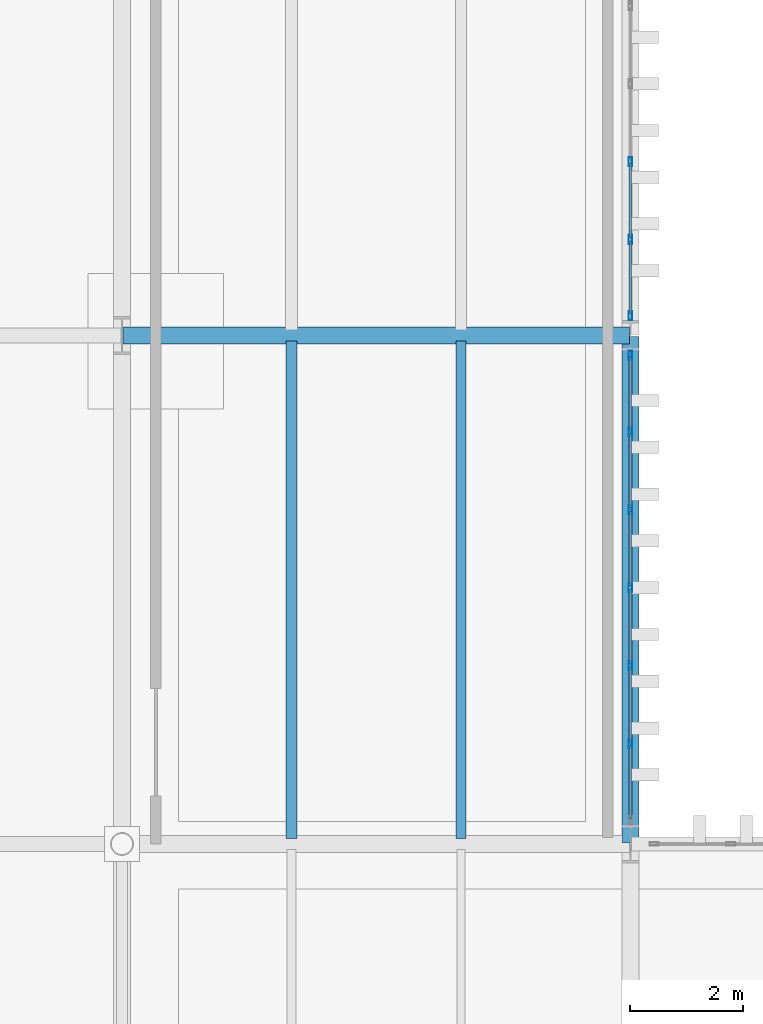
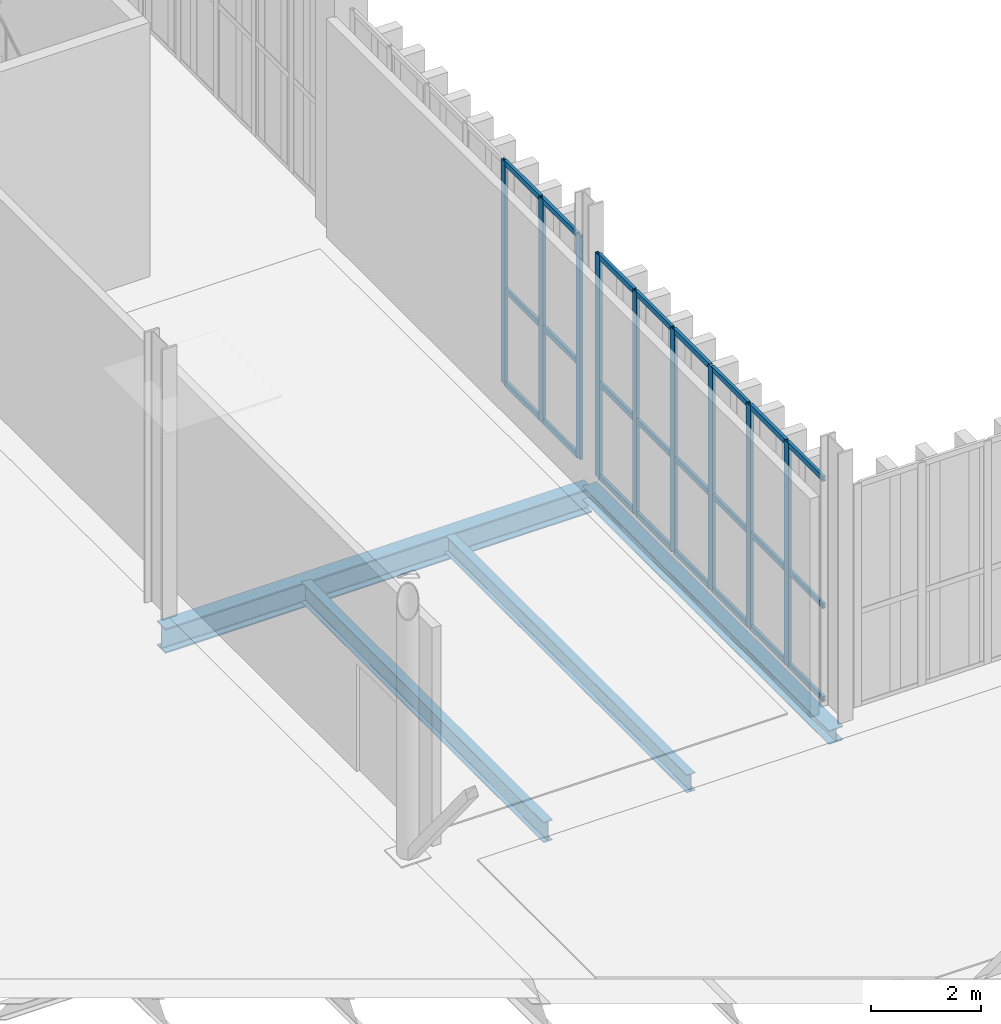
# One storey, part 108 of 211: 33 members, 4 beams, 2 elements without a shape of their own.
"""IFC4 building model written with IfcOpenShell, lengths in metres."""

from ifc_helpers import new_model, si_unit, direction, frame, origin, origin_2d, place, context, subcontext, project, spatial, hollow_rectangle, i_section, extrude, material, layer, layer_set, material_profile, profile_set, type_object, element, aggregate, save


model = new_model("IFC4")

# Units and contexts
model_context = context("Model", 3, precision=1e-05, world=origin(), true_north=direction((0.0, 1.0)))
body_context = subcontext(model_context, "Body", "Model", "MODEL_VIEW")
ifc_project = project(units=[si_unit("LENGTHUNIT", "METRE"), si_unit("AREAUNIT", "SQUARE_METRE"), si_unit("VOLUMEUNIT", "CUBIC_METRE"), si_unit("PLANEANGLEUNIT", "RADIAN"), si_unit("MASSUNIT", "GRAM", prefix="KILO")], contexts=[model_context])

# Site, building, storey
site_placement = place(None, origin())
site = spatial("IfcSite", under=ifc_project, at=site_placement, CompositionType="ELEMENT")
building_placement = place(site_placement, origin())
building = spatial("IfcBuilding", under=site, at=building_placement, Name="Barlavento Convention Centre", CompositionType="ELEMENT")
storey_placement = place(building_placement, frame((0.0, 0.0, 6.0)))
storey = spatial("IfcBuildingStorey", under=building, at=storey_placement, Name="L01", CompositionType="ELEMENT", Elevation=6.0)

# Curtain wall, members
ifc_material_1 = material(Name="Powder-coated aluminium and Low-E glass", Category="aluminium")
ifc_layer = layer(ifc_material_1, 0.195068359375)
ifc_layer_set = layer_set([ifc_layer], Name="ARC-CW-PATIO-A")
curtain_wall_type = type_object("IfcCurtainWallType", Name="ARC-CW-PATIO-A", PredefinedType="NOTDEFINED", material=ifc_layer_set)
curtain_wall_1_placement = place(storey_placement, origin())
curtain_wall_1 = element("IfcCurtainWall", 1, at=curtain_wall_1_placement, inside=storey, type_object=curtain_wall_type, Name="L01 unitised curtain wall CW11", PredefinedType="NOTDEFINED")
ifc_material_2 = material(Name="Powder-coated aluminium", Category="aluminium")
ifc_material_profile_1 = material_profile(ifc_material_2, hollow_rectangle(XDim=0.06005859375, YDim=0.159912109375, WallThickness=0.00390625, at=origin_2d()), Name="AL-MULL 60x160x4")
ifc_profile_set_1 = profile_set([ifc_material_profile_1], Name="Powder-coated aluminium")
member_type_1 = type_object("IfcMemberType", Name="ARC-CWM-60X160", PredefinedType="MULLION", material=ifc_profile_set_1)
member_1_placement = place(storey_placement, frame((135.0, 64.774658203125, 0.0), z_axis=(0.0, 0.0, 1.0), x_axis=(-1.0, 0.0, 0.0)))
member_1 = element("IfcMember", 2, at=member_1_placement, type_object=member_type_1, Name="CW11 mullion 2", PredefinedType="MULLION", context=body_context, shape_type="SweptSolid", body=[
    extrude(hollow_rectangle(XDim=0.06005859375, YDim=0.159912109375, WallThickness=0.00390625, at=origin_2d()), origin(), (0.0, 0.0, 1.0), 4.949951171875),
])
member_2_placement = place(storey_placement, frame((135.0, 66.1552734375, 0.0), z_axis=(0.0, 0.0, 1.0), x_axis=(-1.0, 0.0, 0.0)))
member_2 = element("IfcMember", 3, at=member_2_placement, type_object=member_type_1, Name="CW11 mullion 3", PredefinedType="MULLION", context=body_context, shape_type="SweptSolid", body=[
    extrude(hollow_rectangle(XDim=0.06005859375, YDim=0.159912109375, WallThickness=0.00390625, at=origin_2d()), origin(), (0.0, 0.0, 1.0), 4.949951171875),
])
member_3_placement = place(storey_placement, frame((135.0, 67.535888671875, 0.0), z_axis=(0.0, 0.0, 1.0), x_axis=(-1.0, 0.0, 0.0)))
member_3 = element("IfcMember", 4, at=member_3_placement, type_object=member_type_1, Name="CW11 mullion 4", PredefinedType="MULLION", context=body_context, shape_type="SweptSolid", body=[
    extrude(hollow_rectangle(XDim=0.06005859375, YDim=0.159912109375, WallThickness=0.00390625, at=origin_2d()), origin(), (0.0, 0.0, 1.0), 4.949951171875),
])
member_4_placement = place(storey_placement, frame((135.0, 68.916748046875, 0.0), z_axis=(0.0, 0.0, 1.0), x_axis=(-1.0, 0.0, 0.0)))
member_4 = element("IfcMember", 5, at=member_4_placement, type_object=member_type_1, Name="CW11 mullion 5", PredefinedType="MULLION", context=body_context, shape_type="SweptSolid", body=[
    extrude(hollow_rectangle(XDim=0.06005859375, YDim=0.159912109375, WallThickness=0.00390625, at=origin_2d()), origin(), (0.0, 0.0, 1.0), 4.949951171875),
])
member_5_placement = place(storey_placement, frame((135.0, 70.29736328125, 0.0), z_axis=(0.0, 0.0, 1.0), x_axis=(-1.0, 0.0, 0.0)))
member_5 = element("IfcMember", 6, at=member_5_placement, type_object=member_type_1, Name="CW11 mullion 6", PredefinedType="MULLION", context=body_context, shape_type="SweptSolid", body=[
    extrude(hollow_rectangle(XDim=0.06005859375, YDim=0.159912109375, WallThickness=0.00390625, at=origin_2d()), origin(), (0.0, 0.0, 1.0), 4.949951171875),
])
member_6_placement = place(storey_placement, frame((135.0, 71.64794921875, 0.0), z_axis=(0.0, 0.0, 1.0), x_axis=(-1.0, 0.0, 0.0)))
member_6 = element("IfcMember", 7, at=member_6_placement, type_object=member_type_1, Name="CW11 mullion 7", PredefinedType="MULLION", context=body_context, shape_type="SweptSolid", body=[
    extrude(hollow_rectangle(XDim=0.06005859375, YDim=0.159912109375, WallThickness=0.00390625, at=origin_2d()), origin(), (0.0, 0.0, 1.0), 4.949951171875),
])

curtain_wall_2_placement = place(storey_placement, origin())
curtain_wall_2 = element("IfcCurtainWall", 8, at=curtain_wall_2_placement, inside=storey, type_object=curtain_wall_type, Name="L01 unitised curtain wall CW11", PredefinedType="NOTDEFINED")
member_7_placement = place(storey_placement, frame((135.0, 72.35205078125, 0.0), z_axis=(0.0, 0.0, 1.0), x_axis=(-1.0, 0.0, 0.0)))
member_7 = element("IfcMember", 9, at=member_7_placement, type_object=member_type_1, Name="CW11 mullion 1", PredefinedType="MULLION", context=body_context, shape_type="SweptSolid", body=[
    extrude(hollow_rectangle(XDim=0.06005859375, YDim=0.159912109375, WallThickness=0.00390625, at=origin_2d()), origin(), (0.0, 0.0, 1.0), 4.949951171875),
])
member_8_placement = place(storey_placement, frame((135.0, 73.699951171875, 0.0), z_axis=(0.0, 0.0, 1.0), x_axis=(-1.0, 0.0, 0.0)))
member_8 = element("IfcMember", 10, at=member_8_placement, type_object=member_type_1, Name="CW11 mullion 2", PredefinedType="MULLION", context=body_context, shape_type="SweptSolid", body=[
    extrude(hollow_rectangle(XDim=0.06005859375, YDim=0.159912109375, WallThickness=0.00390625, at=origin_2d()), origin(), (0.0, 0.0, 1.0), 4.949951171875),
])
member_9_placement = place(storey_placement, frame((135.0, 75.077880859375, 0.0), z_axis=(0.0, 0.0, 1.0), x_axis=(-1.0, 0.0, 0.0)))
member_9 = element("IfcMember", 11, at=member_9_placement, type_object=member_type_1, Name="CW11 mullion 3", PredefinedType="MULLION", context=body_context, shape_type="SweptSolid", body=[
    extrude(hollow_rectangle(XDim=0.06005859375, YDim=0.159912109375, WallThickness=0.00390625, at=origin_2d()), origin(), (0.0, 0.0, 1.0), 4.949951171875),
])

# Member
ifc_material_profile_2 = material_profile(ifc_material_2, hollow_rectangle(XDim=0.06005859375, YDim=0.1201171875, WallThickness=0.00390625, at=origin_2d()), Name="AL-TRAN 60x120x4")
ifc_profile_set_2 = profile_set([ifc_material_profile_2], Name="Powder-coated aluminium")
member_type_2 = type_object("IfcMemberType", Name="ARC-CWT-60X120", PredefinedType="USERDEFINED", material=ifc_profile_set_2)
member_10_placement = place(storey_placement, frame((135.0, 63.4541015625, 0.030029296875), z_axis=(0.0, 1.0, 0.0), x_axis=(-1.0, 0.0, 0.0)))
member_10 = element("IfcMember", 12, at=member_10_placement, type_object=member_type_2, Name="CW11 transom 1.1", ObjectType="TRANSOM", PredefinedType="USERDEFINED", context=body_context, shape_type="SweptSolid", body=[
    extrude(hollow_rectangle(XDim=0.06005859375, YDim=0.1201171875, WallThickness=0.00390625, at=origin_2d()), origin(), (0.0, 0.0, 1.0), 1.29052734375),
])

member_11_placement = place(storey_placement, frame((135.0, 63.4541015625, 2.10009765625), z_axis=(0.0, 1.0, 0.0), x_axis=(-1.0, 0.0, 0.0)))
member_11 = element("IfcMember", 13, at=member_11_placement, type_object=member_type_2, Name="CW11 transom 1.2", ObjectType="TRANSOM", PredefinedType="USERDEFINED", context=body_context, shape_type="SweptSolid", body=[
    extrude(hollow_rectangle(XDim=0.06005859375, YDim=0.1201171875, WallThickness=0.00390625, at=origin_2d()), origin(), (0.0, 0.0, 1.0), 1.29052734375),
])

member_12_placement = place(storey_placement, frame((135.0, 63.4541015625, 4.919921875), z_axis=(0.0, 1.0, 0.0), x_axis=(-1.0, 0.0, 0.0)))
member_12 = element("IfcMember", 14, at=member_12_placement, type_object=member_type_2, Name="CW11 transom 1.3", ObjectType="TRANSOM", PredefinedType="USERDEFINED", context=body_context, shape_type="SweptSolid", body=[
    extrude(hollow_rectangle(XDim=0.06005859375, YDim=0.1201171875, WallThickness=0.00390625, at=origin_2d()), origin(), (0.0, 0.0, 1.0), 1.29052734375),
])

member_13_placement = place(storey_placement, frame((135.0, 64.8046875, 0.030029296875), z_axis=(0.0, 1.0, 0.0), x_axis=(-1.0, 0.0, 0.0)))
member_13 = element("IfcMember", 15, at=member_13_placement, type_object=member_type_2, Name="CW11 transom 2.1", ObjectType="TRANSOM", PredefinedType="USERDEFINED", context=body_context, shape_type="SweptSolid", body=[
    extrude(hollow_rectangle(XDim=0.06005859375, YDim=0.1201171875, WallThickness=0.00390625, at=origin_2d()), origin(), (0.0, 0.0, 1.0), 1.320556640625),
])

member_14_placement = place(storey_placement, frame((135.0, 64.8046875, 2.10009765625), z_axis=(0.0, 1.0, 0.0), x_axis=(-1.0, 0.0, 0.0)))
member_14 = element("IfcMember", 16, at=member_14_placement, type_object=member_type_2, Name="CW11 transom 2.2", ObjectType="TRANSOM", PredefinedType="USERDEFINED", context=body_context, shape_type="SweptSolid", body=[
    extrude(hollow_rectangle(XDim=0.06005859375, YDim=0.1201171875, WallThickness=0.00390625, at=origin_2d()), origin(), (0.0, 0.0, 1.0), 1.320556640625),
])

member_15_placement = place(storey_placement, frame((135.0, 64.8046875, 4.919921875), z_axis=(0.0, 1.0, 0.0), x_axis=(-1.0, 0.0, 0.0)))
member_15 = element("IfcMember", 17, at=member_15_placement, type_object=member_type_2, Name="CW11 transom 2.3", ObjectType="TRANSOM", PredefinedType="USERDEFINED", context=body_context, shape_type="SweptSolid", body=[
    extrude(hollow_rectangle(XDim=0.06005859375, YDim=0.1201171875, WallThickness=0.00390625, at=origin_2d()), origin(), (0.0, 0.0, 1.0), 1.320556640625),
])

member_16_placement = place(storey_placement, frame((135.0, 66.185302734375, 0.030029296875), z_axis=(0.0, 1.0, 0.0), x_axis=(-1.0, 0.0, 0.0)))
member_16 = element("IfcMember", 18, at=member_16_placement, type_object=member_type_2, Name="CW11 transom 3.1", ObjectType="TRANSOM", PredefinedType="USERDEFINED", context=body_context, shape_type="SweptSolid", body=[
    extrude(hollow_rectangle(XDim=0.06005859375, YDim=0.1201171875, WallThickness=0.00390625, at=origin_2d()), origin(), (0.0, 0.0, 1.0), 1.32080078125),
])

member_17_placement = place(storey_placement, frame((135.0, 66.185302734375, 2.10009765625), z_axis=(0.0, 1.0, 0.0), x_axis=(-1.0, 0.0, 0.0)))
member_17 = element("IfcMember", 19, at=member_17_placement, type_object=member_type_2, Name="CW11 transom 3.2", ObjectType="TRANSOM", PredefinedType="USERDEFINED", context=body_context, shape_type="SweptSolid", body=[
    extrude(hollow_rectangle(XDim=0.06005859375, YDim=0.1201171875, WallThickness=0.00390625, at=origin_2d()), origin(), (0.0, 0.0, 1.0), 1.32080078125),
])

member_18_placement = place(storey_placement, frame((135.0, 66.185302734375, 4.919921875), z_axis=(0.0, 1.0, 0.0), x_axis=(-1.0, 0.0, 0.0)))
member_18 = element("IfcMember", 20, at=member_18_placement, type_object=member_type_2, Name="CW11 transom 3.3", ObjectType="TRANSOM", PredefinedType="USERDEFINED", context=body_context, shape_type="SweptSolid", body=[
    extrude(hollow_rectangle(XDim=0.06005859375, YDim=0.1201171875, WallThickness=0.00390625, at=origin_2d()), origin(), (0.0, 0.0, 1.0), 1.32080078125),
])

member_19_placement = place(storey_placement, frame((135.0, 67.56591796875, 0.030029296875), z_axis=(0.0, 1.0, 0.0), x_axis=(-1.0, 0.0, 0.0)))
member_19 = element("IfcMember", 21, at=member_19_placement, type_object=member_type_2, Name="CW11 transom 4.1", ObjectType="TRANSOM", PredefinedType="USERDEFINED", context=body_context, shape_type="SweptSolid", body=[
    extrude(hollow_rectangle(XDim=0.06005859375, YDim=0.1201171875, WallThickness=0.00390625, at=origin_2d()), origin(), (0.0, 0.0, 1.0), 1.32080078125),
])

member_20_placement = place(storey_placement, frame((135.0, 67.56591796875, 2.10009765625), z_axis=(0.0, 1.0, 0.0), x_axis=(-1.0, 0.0, 0.0)))
member_20 = element("IfcMember", 22, at=member_20_placement, type_object=member_type_2, Name="CW11 transom 4.2", ObjectType="TRANSOM", PredefinedType="USERDEFINED", context=body_context, shape_type="SweptSolid", body=[
    extrude(hollow_rectangle(XDim=0.06005859375, YDim=0.1201171875, WallThickness=0.00390625, at=origin_2d()), origin(), (0.0, 0.0, 1.0), 1.32080078125),
])

member_21_placement = place(storey_placement, frame((135.0, 67.56591796875, 4.919921875), z_axis=(0.0, 1.0, 0.0), x_axis=(-1.0, 0.0, 0.0)))
member_21 = element("IfcMember", 23, at=member_21_placement, type_object=member_type_2, Name="CW11 transom 4.3", ObjectType="TRANSOM", PredefinedType="USERDEFINED", context=body_context, shape_type="SweptSolid", body=[
    extrude(hollow_rectangle(XDim=0.06005859375, YDim=0.1201171875, WallThickness=0.00390625, at=origin_2d()), origin(), (0.0, 0.0, 1.0), 1.32080078125),
])

member_22_placement = place(storey_placement, frame((135.0, 68.94677734375, 0.030029296875), z_axis=(0.0, 1.0, 0.0), x_axis=(-1.0, 0.0, 0.0)))
member_22 = element("IfcMember", 24, at=member_22_placement, type_object=member_type_2, Name="CW11 transom 5.1", ObjectType="TRANSOM", PredefinedType="USERDEFINED", context=body_context, shape_type="SweptSolid", body=[
    extrude(hollow_rectangle(XDim=0.06005859375, YDim=0.1201171875, WallThickness=0.00390625, at=origin_2d()), origin(), (0.0, 0.0, 1.0), 1.320556640625),
])

member_23_placement = place(storey_placement, frame((135.0, 68.94677734375, 2.10009765625), z_axis=(0.0, 1.0, 0.0), x_axis=(-1.0, 0.0, 0.0)))
member_23 = element("IfcMember", 25, at=member_23_placement, type_object=member_type_2, Name="CW11 transom 5.2", ObjectType="TRANSOM", PredefinedType="USERDEFINED", context=body_context, shape_type="SweptSolid", body=[
    extrude(hollow_rectangle(XDim=0.06005859375, YDim=0.1201171875, WallThickness=0.00390625, at=origin_2d()), origin(), (0.0, 0.0, 1.0), 1.320556640625),
])

member_24_placement = place(storey_placement, frame((135.0, 68.94677734375, 4.919921875), z_axis=(0.0, 1.0, 0.0), x_axis=(-1.0, 0.0, 0.0)))
member_24 = element("IfcMember", 26, at=member_24_placement, type_object=member_type_2, Name="CW11 transom 5.3", ObjectType="TRANSOM", PredefinedType="USERDEFINED", context=body_context, shape_type="SweptSolid", body=[
    extrude(hollow_rectangle(XDim=0.06005859375, YDim=0.1201171875, WallThickness=0.00390625, at=origin_2d()), origin(), (0.0, 0.0, 1.0), 1.320556640625),
])

member_25_placement = place(storey_placement, frame((135.0, 70.327392578125, 0.030029296875), z_axis=(0.0, 1.0, 0.0), x_axis=(-1.0, 0.0, 0.0)))
member_25 = element("IfcMember", 27, at=member_25_placement, type_object=member_type_2, Name="CW11 transom 6.1", ObjectType="TRANSOM", PredefinedType="USERDEFINED", context=body_context, shape_type="SweptSolid", body=[
    extrude(hollow_rectangle(XDim=0.06005859375, YDim=0.1201171875, WallThickness=0.00390625, at=origin_2d()), origin(), (0.0, 0.0, 1.0), 1.29052734375),
])

member_26_placement = place(storey_placement, frame((135.0, 70.327392578125, 2.10009765625), z_axis=(0.0, 1.0, 0.0), x_axis=(-1.0, 0.0, 0.0)))
member_26 = element("IfcMember", 28, at=member_26_placement, type_object=member_type_2, Name="CW11 transom 6.2", ObjectType="TRANSOM", PredefinedType="USERDEFINED", context=body_context, shape_type="SweptSolid", body=[
    extrude(hollow_rectangle(XDim=0.06005859375, YDim=0.1201171875, WallThickness=0.00390625, at=origin_2d()), origin(), (0.0, 0.0, 1.0), 1.29052734375),
])

member_27_placement = place(storey_placement, frame((135.0, 70.327392578125, 4.919921875), z_axis=(0.0, 1.0, 0.0), x_axis=(-1.0, 0.0, 0.0)))
member_27 = element("IfcMember", 29, at=member_27_placement, type_object=member_type_2, Name="CW11 transom 6.3", ObjectType="TRANSOM", PredefinedType="USERDEFINED", context=body_context, shape_type="SweptSolid", body=[
    extrude(hollow_rectangle(XDim=0.06005859375, YDim=0.1201171875, WallThickness=0.00390625, at=origin_2d()), origin(), (0.0, 0.0, 1.0), 1.29052734375),
])

aggregate(curtain_wall_1, [member_1, member_2, member_3, member_4, member_5, member_6, member_10, member_11, member_12, member_13, member_14, member_15, member_16, member_17, member_18, member_19, member_20, member_21, member_22, member_23, member_24, member_25, member_26, member_27])

member_28_placement = place(storey_placement, frame((135.0, 72.382080078125, 0.030029296875), z_axis=(0.0, 1.0, 0.0), x_axis=(-1.0, 0.0, 0.0)))
member_28 = element("IfcMember", 30, at=member_28_placement, type_object=member_type_2, Name="CW11 transom 1.1", ObjectType="TRANSOM", PredefinedType="USERDEFINED", context=body_context, shape_type="SweptSolid", body=[
    extrude(hollow_rectangle(XDim=0.06005859375, YDim=0.1201171875, WallThickness=0.00390625, at=origin_2d()), origin(), (0.0, 0.0, 1.0), 1.287841796875),
])

member_29_placement = place(storey_placement, frame((135.0, 72.382080078125, 2.10009765625), z_axis=(0.0, 1.0, 0.0), x_axis=(-1.0, 0.0, 0.0)))
member_29 = element("IfcMember", 31, at=member_29_placement, type_object=member_type_2, Name="CW11 transom 1.2", ObjectType="TRANSOM", PredefinedType="USERDEFINED", context=body_context, shape_type="SweptSolid", body=[
    extrude(hollow_rectangle(XDim=0.06005859375, YDim=0.1201171875, WallThickness=0.00390625, at=origin_2d()), origin(), (0.0, 0.0, 1.0), 1.287841796875),
])

member_30_placement = place(storey_placement, frame((135.0, 72.382080078125, 4.919921875), z_axis=(0.0, 1.0, 0.0), x_axis=(-1.0, 0.0, 0.0)))
member_30 = element("IfcMember", 32, at=member_30_placement, type_object=member_type_2, Name="CW11 transom 1.3", ObjectType="TRANSOM", PredefinedType="USERDEFINED", context=body_context, shape_type="SweptSolid", body=[
    extrude(hollow_rectangle(XDim=0.06005859375, YDim=0.1201171875, WallThickness=0.00390625, at=origin_2d()), origin(), (0.0, 0.0, 1.0), 1.287841796875),
])

member_31_placement = place(storey_placement, frame((135.0, 73.72998046875, 0.030029296875), z_axis=(0.0, 1.0, 0.0), x_axis=(-1.0, 0.0, 0.0)))
member_31 = element("IfcMember", 33, at=member_31_placement, type_object=member_type_2, Name="CW11 transom 2.1", ObjectType="TRANSOM", PredefinedType="USERDEFINED", context=body_context, shape_type="SweptSolid", body=[
    extrude(hollow_rectangle(XDim=0.06005859375, YDim=0.1201171875, WallThickness=0.00390625, at=origin_2d()), origin(), (0.0, 0.0, 1.0), 1.318115234375),
])

member_32_placement = place(storey_placement, frame((135.0, 73.72998046875, 2.10009765625), z_axis=(0.0, 1.0, 0.0), x_axis=(-1.0, 0.0, 0.0)))
member_32 = element("IfcMember", 34, at=member_32_placement, type_object=member_type_2, Name="CW11 transom 2.2", ObjectType="TRANSOM", PredefinedType="USERDEFINED", context=body_context, shape_type="SweptSolid", body=[
    extrude(hollow_rectangle(XDim=0.06005859375, YDim=0.1201171875, WallThickness=0.00390625, at=origin_2d()), origin(), (0.0, 0.0, 1.0), 1.318115234375),
])

member_33_placement = place(storey_placement, frame((135.0, 73.72998046875, 4.919921875), z_axis=(0.0, 1.0, 0.0), x_axis=(-1.0, 0.0, 0.0)))
member_33 = element("IfcMember", 35, at=member_33_placement, type_object=member_type_2, Name="CW11 transom 2.3", ObjectType="TRANSOM", PredefinedType="USERDEFINED", context=body_context, shape_type="SweptSolid", body=[
    extrude(hollow_rectangle(XDim=0.06005859375, YDim=0.1201171875, WallThickness=0.00390625, at=origin_2d()), origin(), (0.0, 0.0, 1.0), 1.318115234375),
])

aggregate(curtain_wall_2, [member_7, member_8, member_9, member_28, member_29, member_30, member_31, member_32, member_33])

# Beams
ifc_material_3 = material(Name="Steel S355", Category="steel")
ifc_material_profile_3 = material_profile(ifc_material_3, i_section(OverallWidth=0.179931640625, OverallDepth=0.39990234375, WebThickness=0.008544921875, FlangeThickness=0.013427734375, FilletRadius=0.02099609375, at=origin_2d()), Name="IPE 400")
ifc_profile_set_3 = profile_set([ifc_material_profile_3], Name="Steel S355")
beam_type_1 = type_object("IfcBeamType", Name="STR-BM-JST-IPE400", PredefinedType="JOIST", material=ifc_profile_set_3)
beam_1_placement = place(storey_placement, frame((132.0, 63.094970703125, -0.56005859375), z_axis=(0.0, 1.0, 0.0), x_axis=(-1.0, 0.0, 0.0)))
element("IfcBeam", 36, at=beam_1_placement, inside=storey, type_object=beam_type_1, Name="L01 composite floor joist SJ04", PredefinedType="JOIST", context=body_context, shape_type="SweptSolid", body=[
    extrude(i_section(OverallWidth=0.179931640625, OverallDepth=0.39990234375, WebThickness=0.008544921875, FlangeThickness=0.013427734375, FilletRadius=0.02099609375, at=origin_2d()), origin(), (0.0, 0.0, 1.0), 8.81005859375),
])
ifc_material_profile_4 = material_profile(ifc_material_3, i_section(OverallWidth=0.18994140625, OverallDepth=0.449951171875, WebThickness=0.009521484375, FlangeThickness=0.0146484375, FilletRadius=0.02099609375, at=origin_2d()), Name="IPE 450")
ifc_profile_set_4 = profile_set([ifc_material_profile_4], Name="Steel S355")
beam_type_2 = type_object("IfcBeamType", Name="STR-BM-JST-IPE450", PredefinedType="JOIST", material=ifc_profile_set_4)
beam_2_placement = place(storey_placement, frame((129.0, 63.094970703125, -0.5849609375), z_axis=(0.0, 1.0, 0.0), x_axis=(-1.0, 0.0, 0.0)))
element("IfcBeam", 37, at=beam_2_placement, inside=storey, type_object=beam_type_2, Name="L01 composite floor joist SJ03", PredefinedType="JOIST", context=body_context, shape_type="SweptSolid", body=[
    extrude(i_section(OverallWidth=0.18994140625, OverallDepth=0.449951171875, WebThickness=0.009521484375, FlangeThickness=0.0146484375, FilletRadius=0.02099609375, at=origin_2d()), origin(), (0.0, 0.0, 1.0), 8.81005859375),
])
ifc_material_profile_5 = material_profile(ifc_material_3, i_section(OverallWidth=0.300048828125, OverallDepth=0.550048828125, WebThickness=0.014892578125, FlangeThickness=0.029052734375, FilletRadius=0.027099609375, at=origin_2d()), Name="HEB 550")
ifc_profile_set_5 = profile_set([ifc_material_profile_5], Name="Steel S355")
beam_type_3 = type_object("IfcBeamType", Name="STR-BM-PRI-HEB550", PredefinedType="BEAM", material=ifc_profile_set_5)
beam_3_placement = place(storey_placement, frame((126.02001953125, 72.0, -0.635009765625), z_axis=(1.0, 0.0, 0.0), x_axis=(0.0, 1.0, 0.0)))
element("IfcBeam", 38, at=beam_3_placement, inside=storey, type_object=beam_type_3, Name="L01 primary girder BG08", PredefinedType="BEAM", context=body_context, shape_type="SweptSolid", body=[
    extrude(i_section(OverallWidth=0.300048828125, OverallDepth=0.550048828125, WebThickness=0.014892578125, FlangeThickness=0.029052734375, FilletRadius=0.027099609375, at=origin_2d()), origin(), (0.0, 0.0, 1.0), 8.9599609375),
])
ifc_material_profile_6 = material_profile(ifc_material_3, i_section(OverallWidth=0.300048828125, OverallDepth=0.31005859375, WebThickness=0.009033203125, FlangeThickness=0.015380859375, FilletRadius=0.027099609375, at=origin_2d()), Name="HEA 320")
ifc_profile_set_6 = profile_set([ifc_material_profile_6], Name="Steel S355")
beam_type_4 = type_object("IfcBeamType", Name="STR-BM-SPN-HEA320", PredefinedType="SPANDREL", material=ifc_profile_set_6)
beam_4_placement = place(storey_placement, frame((135.0, 63.02001953125, -0.514892578125), z_axis=(0.0, 1.0, 0.0), x_axis=(-1.0, 0.0, 0.0)))
element("IfcBeam", 39, at=beam_4_placement, inside=storey, type_object=beam_type_4, Name="L01 grid girder SP01", PredefinedType="SPANDREL", context=body_context, shape_type="SweptSolid", body=[
    extrude(i_section(OverallWidth=0.300048828125, OverallDepth=0.31005859375, WebThickness=0.009033203125, FlangeThickness=0.015380859375, FilletRadius=0.027099609375, at=origin_2d()), origin(), (0.0, 0.0, 1.0), 8.9599609375),
])

save(model, "model.ifc")
